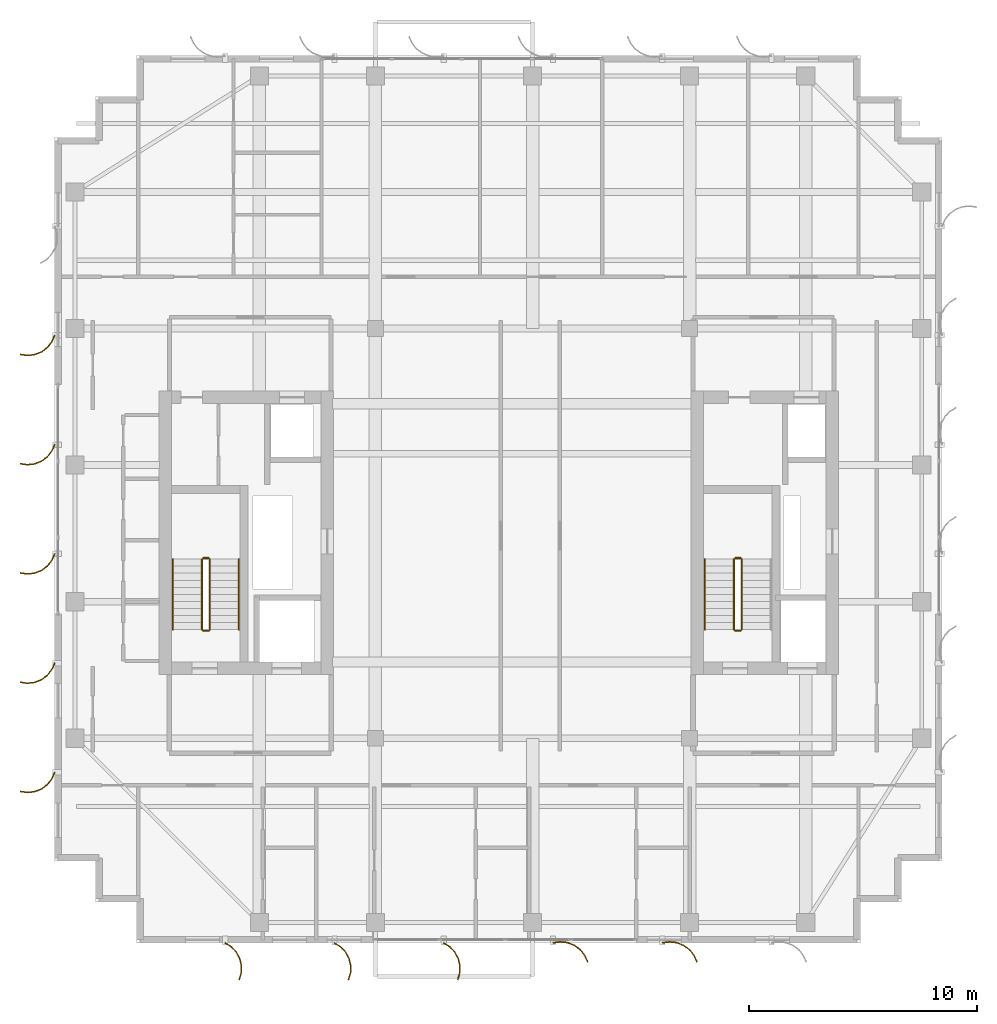
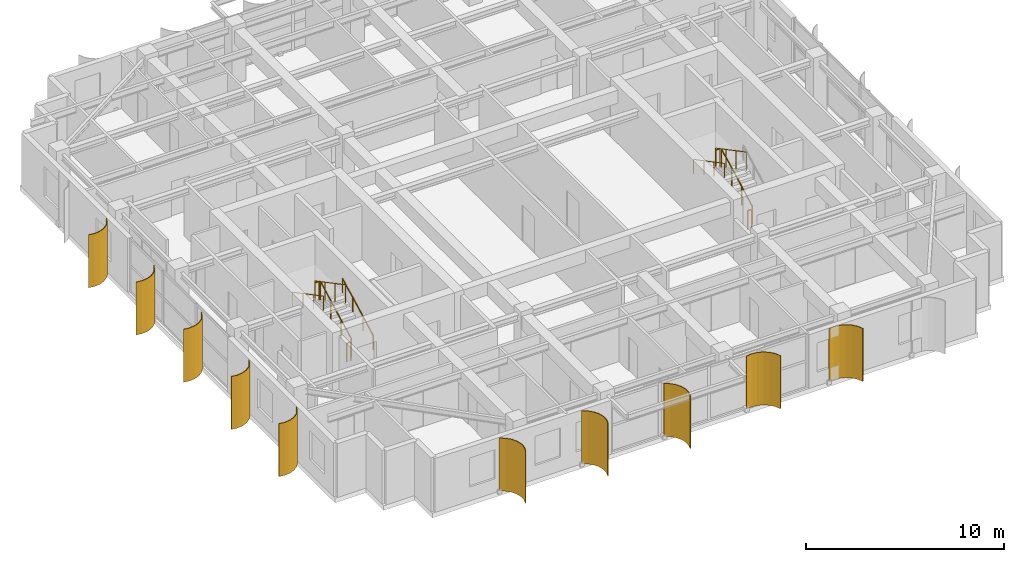
# One storey, part 22 of 23: 11 railings, 10 shading devices.
"""IFC4 building model written with IfcOpenShell, lengths in metres."""

from ifc_helpers import new_model, si_unit, direction, frame, origin, origin_2d, place, context, subcontext, project, spatial, polyline, circle, outline, extrude, source, transform, mapped, material, layer, layer_set, type_object, element, save


model = new_model("IFC4")

# Units and contexts
model_context = context("Model", 3, precision=1e-05, world=origin(), true_north=direction((0.0, 1.0)))
body_context = subcontext(model_context, "Body", "Model", "MODEL_VIEW")
ifc_project = project(units=[si_unit("LENGTHUNIT", "METRE"), si_unit("AREAUNIT", "SQUARE_METRE"), si_unit("VOLUMEUNIT", "CUBIC_METRE"), si_unit("PLANEANGLEUNIT", "RADIAN"), si_unit("MASSUNIT", "GRAM", prefix="KILO")], contexts=[model_context])

# Site, building, storey
site_placement = place(None, origin())
site = spatial("IfcSite", under=ifc_project, at=site_placement, CompositionType="ELEMENT")
building_placement = place(site_placement, origin())
building = spatial("IfcBuilding", under=site, at=building_placement, Name="Khoralis Quay Care Tower", CompositionType="ELEMENT")
storey_placement = place(building_placement, frame((0.0, 0.0, 270.89990234375)))
storey = spatial("IfcBuildingStorey", under=building, at=storey_placement, Name="L71", CompositionType="ELEMENT", Elevation=270.89990234375)

# Railings
ifc_material_1 = material(Name="Brushed stainless steel", Category="steel")
railing_type_1 = type_object("IfcRailingType", Name="RL-GUARD-1150", PredefinedType="GUARDRAIL", material=ifc_material_1)
railing_1_placement = place(storey_placement, frame((9.820068359375, 16.77001953125, 0.163818359375)))
element("IfcRailing", 1, at=railing_1_placement, inside=storey, type_object=railing_type_1, Name="L71 ST-T1 stair guard 1", PredefinedType="GUARDRAIL", context=body_context, shape_type="SweptSolid", body=[
    extrude(circle(Radius=0.02392578125, at=origin_2d()), frame((0.0, 0.0, 1.1259765625), z_axis=(0.0, 0.884376766648, 0.46677375099), x_axis=(-1.0, 0.0, 0.0)), (0.0, 0.0, 1.0), 3.50537109375),
    extrude(circle(Radius=0.02099609375, at=origin_2d()), origin(), (0.0, 0.0, 1.0), 1.101806640625),
    extrude(circle(Radius=0.02099609375, at=origin_2d()), frame((0.0, 1.033447265625, 0.54541015625)), (0.0, 0.0, 1.0), 1.101806640625),
    extrude(circle(Radius=0.02099609375, at=origin_2d()), frame((0.0, 2.066650390625, 1.0908203125)), (0.0, 0.0, 1.0), 1.101806640625),
    extrude(circle(Radius=0.02099609375, at=origin_2d()), frame((0.0, 3.10009765625, 1.63623046875)), (0.0, 0.0, 1.0), 1.101806640625),
])
railing_2_placement = place(storey_placement, frame((9.77001953125, 19.919921875, 1.800048828125)))
element("IfcRailing", 2, at=railing_2_placement, inside=storey, type_object=railing_type_1, Name="L71 ST-T1 stair guard 2", PredefinedType="GUARDRAIL", context=body_context, shape_type="SweptSolid", body=[
    extrude(circle(Radius=0.02392578125, at=origin_2d()), frame((0.0, 0.0, 1.1259765625), z_axis=(-1.0, 0.0, 0.0), x_axis=(0.0, -1.0, 0.0)), (0.0, 0.0, 1.0), 0.239990234375),
    extrude(circle(Radius=0.02099609375, at=origin_2d()), origin(), (0.0, 0.0, 1.0), 1.101806640625),
    extrude(circle(Radius=0.02099609375, at=origin_2d()), frame((-0.239990234375, 0.0, 0.0)), (0.0, 0.0, 1.0), 1.101806640625),
])
railing_3_placement = place(storey_placement, frame((9.47998046875, 19.8701171875, 1.963623046875)))
element("IfcRailing", 3, at=railing_3_placement, inside=storey, type_object=railing_type_1, Name="L71 ST-T1 stair guard 3", PredefinedType="GUARDRAIL", context=body_context, shape_type="SweptSolid", body=[
    extrude(circle(Radius=0.02392578125, at=origin_2d()), frame((0.0, 0.0, 1.1259765625), z_axis=(0.0, -0.884348015382, 0.466828220752), x_axis=(1.0, 0.0, 0.0)), (0.0, 0.0, 1.0), 3.505615234375),
    extrude(circle(Radius=0.02099609375, at=origin_2d()), origin(), (0.0, 0.0, 1.0), 1.101806640625),
    extrude(circle(Radius=0.02099609375, at=origin_2d()), frame((0.0, -1.033447265625, 0.54541015625)), (0.0, 0.0, 1.0), 1.101806640625),
    extrude(circle(Radius=0.02099609375, at=origin_2d()), frame((0.0, -2.066650390625, 1.091064453125)), (0.0, 0.0, 1.0), 1.101806640625),
    extrude(circle(Radius=0.02099609375, at=origin_2d()), frame((0.0, -3.10009765625, 1.636474609375)), (0.0, 0.0, 1.0), 1.101806640625),
])
railing_4_placement = place(storey_placement, frame((9.77001953125, 16.719970703125, 0.0)))
element("IfcRailing", 4, at=railing_4_placement, inside=storey, type_object=railing_type_1, Name="L71 ST-T1 stair guard 4", PredefinedType="GUARDRAIL", context=body_context, shape_type="SweptSolid", body=[
    extrude(circle(Radius=0.02392578125, at=origin_2d()), frame((0.0, 0.0, 1.1259765625), z_axis=(-1.0, 0.0, 0.0), x_axis=(0.0, -1.0, 0.0)), (0.0, 0.0, 1.0), 0.239990234375),
    extrude(circle(Radius=0.02099609375, at=origin_2d()), origin(), (0.0, 0.0, 1.0), 1.101806640625),
    extrude(circle(Radius=0.02099609375, at=origin_2d()), frame((-0.239990234375, 0.0, 0.0)), (0.0, 0.0, 1.0), 1.101806640625),
])
railing_5_placement = place(storey_placement, frame((33.18994140625, 16.77001953125, 0.163818359375)))
element("IfcRailing", 5, at=railing_5_placement, inside=storey, type_object=railing_type_1, Name="L71 ST-T2 stair guard 1", PredefinedType="GUARDRAIL", context=body_context, shape_type="SweptSolid", body=[
    extrude(circle(Radius=0.02392578125, at=origin_2d()), frame((0.0, 0.0, 1.1259765625), z_axis=(0.0, 0.884376766648, 0.46677375099), x_axis=(-1.0, 0.0, 0.0)), (0.0, 0.0, 1.0), 3.50537109375),
    extrude(circle(Radius=0.02099609375, at=origin_2d()), origin(), (0.0, 0.0, 1.0), 1.101806640625),
    extrude(circle(Radius=0.02099609375, at=origin_2d()), frame((0.0, 1.033447265625, 0.54541015625)), (0.0, 0.0, 1.0), 1.101806640625),
    extrude(circle(Radius=0.02099609375, at=origin_2d()), frame((0.0, 2.066650390625, 1.0908203125)), (0.0, 0.0, 1.0), 1.101806640625),
    extrude(circle(Radius=0.02099609375, at=origin_2d()), frame((0.0, 3.10009765625, 1.63623046875)), (0.0, 0.0, 1.0), 1.101806640625),
])
railing_6_placement = place(storey_placement, frame((33.139892578125, 19.919921875, 1.800048828125)))
element("IfcRailing", 6, at=railing_6_placement, inside=storey, type_object=railing_type_1, Name="L71 ST-T2 stair guard 2", PredefinedType="GUARDRAIL", context=body_context, shape_type="SweptSolid", body=[
    extrude(circle(Radius=0.02392578125, at=origin_2d()), frame((0.0, 0.0, 1.1259765625), z_axis=(-1.0, 0.0, 0.0), x_axis=(0.0, -1.0, 0.0)), (0.0, 0.0, 1.0), 0.239990234375),
    extrude(circle(Radius=0.02099609375, at=origin_2d()), origin(), (0.0, 0.0, 1.0), 1.101806640625),
    extrude(circle(Radius=0.02099609375, at=origin_2d()), frame((-0.239990234375, 0.0, 0.0)), (0.0, 0.0, 1.0), 1.101806640625),
])
railing_7_placement = place(storey_placement, frame((32.85009765625, 19.8701171875, 1.963623046875)))
element("IfcRailing", 7, at=railing_7_placement, inside=storey, type_object=railing_type_1, Name="L71 ST-T2 stair guard 3", PredefinedType="GUARDRAIL", context=body_context, shape_type="SweptSolid", body=[
    extrude(circle(Radius=0.02392578125, at=origin_2d()), frame((0.0, 0.0, 1.1259765625), z_axis=(0.0, -0.884348015382, 0.466828220752), x_axis=(1.0, 0.0, 0.0)), (0.0, 0.0, 1.0), 3.505615234375),
    extrude(circle(Radius=0.02099609375, at=origin_2d()), origin(), (0.0, 0.0, 1.0), 1.101806640625),
    extrude(circle(Radius=0.02099609375, at=origin_2d()), frame((0.0, -1.033447265625, 0.54541015625)), (0.0, 0.0, 1.0), 1.101806640625),
    extrude(circle(Radius=0.02099609375, at=origin_2d()), frame((0.0, -2.066650390625, 1.091064453125)), (0.0, 0.0, 1.0), 1.101806640625),
    extrude(circle(Radius=0.02099609375, at=origin_2d()), frame((0.0, -3.10009765625, 1.636474609375)), (0.0, 0.0, 1.0), 1.101806640625),
])
railing_8_placement = place(storey_placement, frame((33.139892578125, 16.719970703125, 0.0)))
element("IfcRailing", 8, at=railing_8_placement, inside=storey, type_object=railing_type_1, Name="L71 ST-T2 stair guard 4", PredefinedType="GUARDRAIL", context=body_context, shape_type="SweptSolid", body=[
    extrude(circle(Radius=0.02392578125, at=origin_2d()), frame((0.0, 0.0, 1.1259765625), z_axis=(-1.0, 0.0, 0.0), x_axis=(0.0, -1.0, 0.0)), (0.0, 0.0, 1.0), 0.239990234375),
    extrude(circle(Radius=0.02099609375, at=origin_2d()), origin(), (0.0, 0.0, 1.0), 1.101806640625),
    extrude(circle(Radius=0.02099609375, at=origin_2d()), frame((-0.239990234375, 0.0, 0.0)), (0.0, 0.0, 1.0), 1.101806640625),
])
railing_type_2 = type_object("IfcRailingType", Name="RL-HAND-900", PredefinedType="HANDRAIL", material=ifc_material_1)
railing_9_placement = place(storey_placement, frame((11.10009765625, 16.77001953125, 0.163818359375)))
element("IfcRailing", 9, at=railing_9_placement, inside=storey, type_object=railing_type_2, Name="L71 ST-T1 stair handrail 1", PredefinedType="HANDRAIL", context=body_context, shape_type="SweptSolid", body=[
    extrude(circle(Radius=0.02392578125, at=origin_2d()), frame((0.0, 0.0, 0.8759765625), z_axis=(0.0, 0.884376766648, 0.46677375099), x_axis=(-1.0, 0.0, 0.0)), (0.0, 0.0, 1.0), 3.50537109375),
    extrude(circle(Radius=0.02099609375, at=origin_2d()), origin(), (0.0, 0.0, 1.0), 0.851806640625),
    extrude(circle(Radius=0.02099609375, at=origin_2d()), frame((0.0, 1.033447265625, 0.54541015625)), (0.0, 0.0, 1.0), 0.851806640625),
    extrude(circle(Radius=0.02099609375, at=origin_2d()), frame((0.0, 2.066650390625, 1.0908203125)), (0.0, 0.0, 1.0), 0.851806640625),
    extrude(circle(Radius=0.02099609375, at=origin_2d()), frame((0.0, 3.10009765625, 1.63623046875)), (0.0, 0.0, 1.0), 0.851806640625),
])
for number, where, name in (
    (10, (8.199951171875, 19.8701171875, 1.963623046875), "L71 ST-T1 stair handrail 2"),
    (11, (31.570068359375, 19.8701171875, 1.963623046875), "L71 ST-T2 stair handrail 2"),
):
    element("IfcRailing", number, at=place(storey_placement, frame(where)), inside=storey, type_object=railing_type_2, Name=name, PredefinedType="HANDRAIL", context=body_context, shape_type="SweptSolid", body=[
        extrude(circle(Radius=0.02392578125, at=origin_2d()), frame((0.0, 0.0, 0.8759765625), z_axis=(0.0, -0.884348015382, 0.466828220752), x_axis=(1.0, 0.0, 0.0)), (0.0, 0.0, 1.0), 3.505615234375),
        extrude(circle(Radius=0.02099609375, at=origin_2d()), origin(), (0.0, 0.0, 1.0), 0.851806640625),
        extrude(circle(Radius=0.02099609375, at=origin_2d()), frame((0.0, -1.033447265625, 0.54541015625)), (0.0, 0.0, 1.0), 0.851806640625),
        extrude(circle(Radius=0.02099609375, at=origin_2d()), frame((0.0, -2.066650390625, 1.091064453125)), (0.0, 0.0, 1.0), 0.851806640625),
        extrude(circle(Radius=0.02099609375, at=origin_2d()), frame((0.0, -3.10009765625, 1.636474609375)), (0.0, 0.0, 1.0), 0.851806640625),
    ])

# Shading devices
ifc_material_2 = material(Name="Brushed pale anodised aluminium", Category="aluminium")
ifc_layer = layer(ifc_material_2, 0.044921875)
ifc_layer_set = layer_set([ifc_layer], Name="Brushed pale anodised aluminium")
shading_device_type = type_object("IfcShadingDeviceType", Name="SHD-FIN-1250", PredefinedType="USERDEFINED", material=ifc_layer_set)
shared_shape_1 = source(origin(), body_context, "Body", "SweptSolid", [
    extrude(outline(polyline([(0.0, 0.0), (0.130126953125, 0.29931640625), (0.333251953125, 0.5546875), (0.595458984375, 0.748779296875), (0.899169921875, 0.868408203125), (1.223388671875, 0.9052734375), (1.546142578125, 0.85693359375), (1.53369140625, 0.813720703125), (1.22265625, 0.8603515625), (0.91015625, 0.82470703125), (0.617431640625, 0.70947265625), (0.364501953125, 0.522216796875), (0.168701171875, 0.276123046875), (0.043212890625, -0.012451171875), (0.0, 0.0)])), origin(), (0.0, 0.0, 1.0), 3.260009765625),
])
for number, where, z_axis, x_axis, name in (
    (12, (3.030029296875, 29.699951171875, 0.02001953125), (0.0, 0.0, 1.0), (-1.0, 0.0, 0.0), "L71 Curved Solar Fin P1E15-02"),
    (13, (3.030029296875, 24.89990234375, 0.02001953125), (0.0, 0.0, 1.0), (-1.0, 0.0, 0.0), "L71 Curved Solar Fin P1E15-03"),
    (14, (3.030029296875, 20.10009765625, 0.02001953125), (0.0, 0.0, 1.0), (-1.0, 0.0, 0.0), "L71 Curved Solar Fin P1E15-04"),
    (15, (3.030029296875, 15.300048828125, 0.02001953125), (0.0, 0.0, 1.0), (-1.0, 0.0, 0.0), "L71 Curved Solar Fin P1E15-05"),
    (16, (3.030029296875, 10.5, 0.02001953125), (0.0, 0.0, 1.0), (-1.0, 0.0, 0.0), "L71 Curved Solar Fin P1E15-06"),
):
    element("IfcShadingDevice", number, at=place(storey_placement, frame(where, z_axis=z_axis, x_axis=x_axis)), inside=storey, type_object=shading_device_type, Name=name, ObjectType="FIN", PredefinedType="USERDEFINED", context=body_context, shape_type="MappedRepresentation", body=[
        mapped(shared_shape_1, transform((0.0, 0.0, 0.0), scale=1.0)),
    ])
shared_shape_2 = source(origin(), body_context, "Body", "SweptSolid", [
    extrude(outline(polyline([(0.0, 0.0), (0.17041015625, 0.2783203125), (0.4072265625, 0.5029296875), (0.694091796875, 0.658447265625), (1.01123046875, 0.734619140625), (1.33740234375, 0.72607421875), (1.650390625, 0.633544921875), (1.632080078125, 0.59228515625), (1.330322265625, 0.681640625), (1.015869140625, 0.68994140625), (0.710205078125, 0.616455078125), (0.43359375, 0.466552734375), (0.20556640625, 0.25), (0.041015625, -0.018310546875), (0.0, 0.0)])), origin(), (0.0, 0.0, 1.0), 3.260009765625),
])
for number, where, z_axis, x_axis, name in (
    (17, (10.5, 3.030029296875, 0.02001953125), (0.0, 0.0, 1.0), (0.0, -1.0, 0.0), "L71 Curved Solar Fin P1E0-01"),
    (18, (15.300048828125, 3.030029296875, 0.02001953125), (0.0, 0.0, 1.0), (0.0, -1.0, 0.0), "L71 Curved Solar Fin P1E0-02"),
    (19, (20.10009765625, 3.030029296875, 0.02001953125), (0.0, 0.0, 1.0), (0.0, -1.0, 0.0), "L71 Curved Solar Fin P1E0-03"),
):
    element("IfcShadingDevice", number, at=place(storey_placement, frame(where, z_axis=z_axis, x_axis=x_axis)), inside=storey, type_object=shading_device_type, Name=name, ObjectType="FIN", PredefinedType="USERDEFINED", context=body_context, shape_type="MappedRepresentation", body=[
        mapped(shared_shape_2, transform((0.0, 0.0, 0.0), scale=1.0)),
    ])
shared_shape_3 = source(origin(), body_context, "Body", "SweptSolid", [
    extrude(outline(polyline([(0.0, 0.0), (-0.04833984375, 0.32275390625), (-0.01123046875, 0.64697265625), (0.1083984375, 0.950439453125), (0.302490234375, 1.212890625), (0.557861328125, 1.416015625), (0.85693359375, 1.546142578125), (0.869384765625, 1.5029296875), (0.5810546875, 1.37744140625), (0.334716796875, 1.181640625), (0.147705078125, 0.9287109375), (0.032470703125, 0.635986328125), (-0.003173828125, 0.323486328125), (0.043212890625, 0.012451171875), (0.0, 0.0)])), origin(), (0.0, 0.0, 1.0), 3.260009765625),
])
for number, where, z_axis, x_axis, name in (
    (20, (24.89990234375, 3.030029296875, 0.02001953125), (0.0, 0.0, 1.0), (0.0, -1.0, 0.0), "L71 Curved Solar Fin P1E0-04"),
    (21, (29.699951171875, 3.030029296875, 0.02001953125), (0.0, 0.0, 1.0), (0.0, -1.0, 0.0), "L71 Curved Solar Fin P1E0-05"),
):
    element("IfcShadingDevice", number, at=place(storey_placement, frame(where, z_axis=z_axis, x_axis=x_axis)), inside=storey, type_object=shading_device_type, Name=name, ObjectType="FIN", PredefinedType="USERDEFINED", context=body_context, shape_type="MappedRepresentation", body=[
        mapped(shared_shape_3, transform((0.0, 0.0, 0.0), scale=1.0)),
    ])

save(model, "model.ifc")
